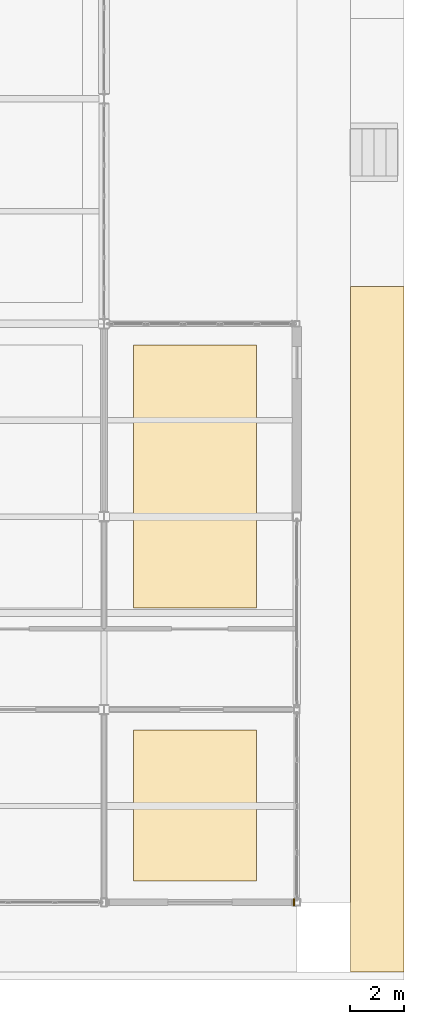
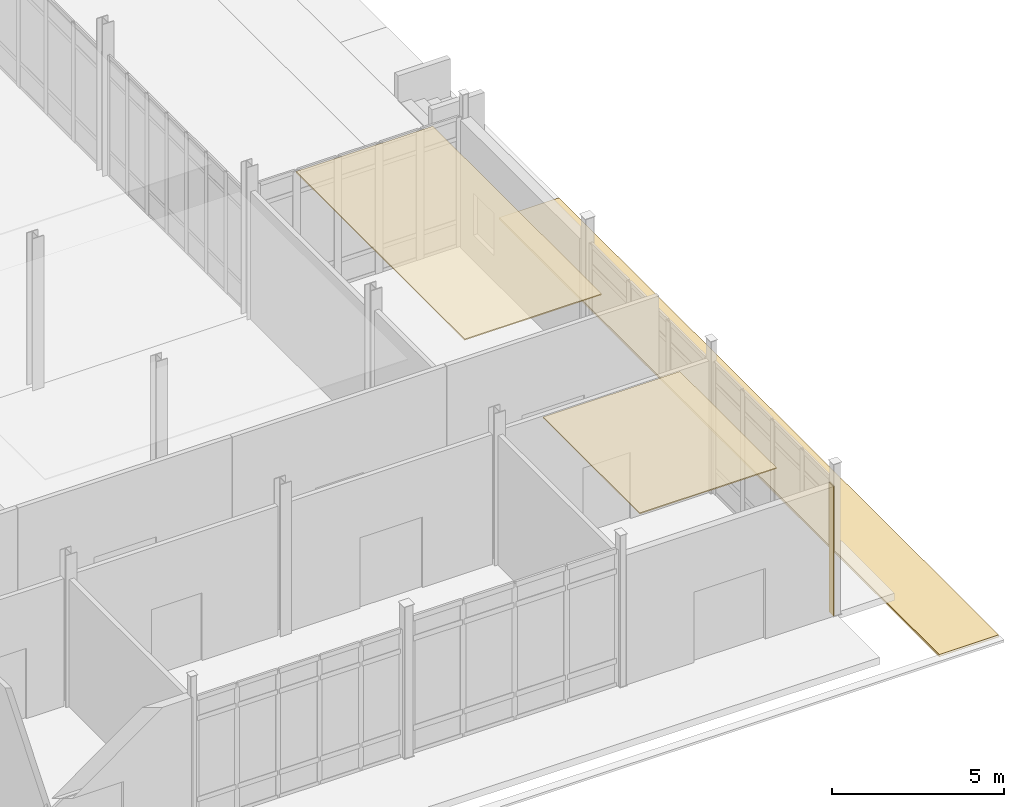
# One storey, part 226 of 229: 4 coverings.
"""IFC4 building model written with IfcOpenShell, lengths in metres."""

from ifc_helpers import new_model, si_unit, direction, frame, origin, place, context, subcontext, project, spatial, polyline, outline, extrude, material, layer, layer_set, type_object, element, save


model = new_model("IFC4")

# Units and contexts
model_context = context("Model", 3, precision=1e-05, world=origin(), true_north=direction((0.0, 1.0)))
body_context = subcontext(model_context, "Body", "Model", "MODEL_VIEW")
ifc_project = project(units=[si_unit("LENGTHUNIT", "METRE"), si_unit("AREAUNIT", "SQUARE_METRE"), si_unit("VOLUMEUNIT", "CUBIC_METRE"), si_unit("PLANEANGLEUNIT", "RADIAN"), si_unit("MASSUNIT", "GRAM", prefix="KILO")], contexts=[model_context])

# Site, building, storey
site_placement = place(None, origin())
site = spatial("IfcSite", under=ifc_project, at=site_placement, CompositionType="ELEMENT")
building_placement = place(site_placement, origin())
building = spatial("IfcBuilding", under=site, at=building_placement, Name="Calvrana Isthmian Art Gallery", CompositionType="ELEMENT")
storey_placement = place(building_placement, origin())
storey = spatial("IfcBuildingStorey", under=building, at=storey_placement, Name="L00", CompositionType="ELEMENT", Elevation=0.0)

# Coverings
ifc_material_1 = material(Name="Acoustic gypsum ceiling", Category="gypsum")
ifc_layer_1 = layer(ifc_material_1, 0.0400390625, Name="Acoustic gypsum ceiling")
ifc_layer_set_1 = layer_set([ifc_layer_1], Name="Acoustic gypsum ceiling")
covering_type_1 = type_object("IfcCoveringType", Name="COV-CEIL-ACOUST", PredefinedType="CEILING", material=ifc_layer_set_1)
covering_1_placement = place(storey_placement, frame((0.0, 0.0, 5.162109375)))
element("IfcCovering", 1, at=covering_1_placement, inside=storey, type_object=covering_type_1, Name="Gallery acoustic ceiling 13", PredefinedType="CEILING", context=body_context, shape_type="SweptSolid", body=[
    extrude(outline(polyline([(157.10009765625, 0.800048828125), (161.699951171875, 0.800048828125), (161.699951171875, 6.429931640625), (157.10009765625, 6.429931640625), (157.10009765625, 0.800048828125)])), origin(), (0.0, 0.0, 1.0), 0.039794921875),
])
covering_2_placement = place(storey_placement, frame((0.0, 0.0, 5.162109375)))
element("IfcCovering", 2, at=covering_2_placement, inside=storey, type_object=covering_type_1, Name="Gallery acoustic ceiling 17", PredefinedType="CEILING", context=body_context, shape_type="SweptSolid", body=[
    extrude(outline(polyline([(157.10009765625, 10.97998046875), (161.699951171875, 10.97998046875), (161.699951171875, 20.800048828125), (157.10009765625, 20.800048828125), (157.10009765625, 10.97998046875)])), origin(), (0.0, 0.0, 1.0), 0.039794921875),
])
ifc_material_2 = material(Name="Polychrome glazed terracotta", Category="masonry")
ifc_layer_2 = layer(ifc_material_2, 0.0400390625, Name="Polychrome glazed terracotta")
ifc_layer_set_2 = layer_set([ifc_layer_2], Name="Polychrome glazed terracotta")
covering_type_2 = type_object("IfcCoveringType", Name="COV-CLAD-TERRA", PredefinedType="CLADDING", material=ifc_layer_set_2)
covering_3_placement = place(storey_placement, origin())
element("IfcCovering", 3, at=covering_3_placement, inside=storey, type_object=covering_type_2, Name="Column pocket weather closure L00-20-00-E", PredefinedType="CLADDING", context=body_context, shape_type="SweptSolid", body=[
    extrude(outline(polyline([(163.072998046875, -0.125), (163.113037109375, -0.125), (163.113037109375, 0.125), (163.072998046875, 0.125), (163.072998046875, -0.125)])), origin(), (0.0, 0.0, 1.0), 4.60693359375),
])
ifc_material_3 = material(Name="Pale Isthmian limestone", Category="masonry")
ifc_layer_3 = layer(ifc_material_3, 0.080078125, Name="Pale Isthmian limestone")
ifc_layer_set_3 = layer_set([ifc_layer_3], Name="Pale Isthmian limestone")
covering_type_3 = type_object("IfcCoveringType", Name="COV-SITE-PAVING", PredefinedType="USERDEFINED", material=ifc_layer_set_3)
covering_4_placement = place(storey_placement, frame((0.0, 0.0, -0.679931640625)))
element("IfcCovering", 4, at=covering_4_placement, inside=storey, type_object=covering_type_3, Name="Stepped hillside grade paving bench PAV_E_S1", ObjectType="PAVING", PredefinedType="USERDEFINED", context=body_context, shape_type="SweptSolid", body=[
    extrude(outline(polyline([(165.197998046875, -2.60009765625), (167.199951171875, -2.60009765625), (167.199951171875, 23.0), (165.197998046875, 23.0), (165.197998046875, -2.60009765625)])), origin(), (0.0, 0.0, 1.0), 0.079833984375),
])

save(model, "model.ifc")
